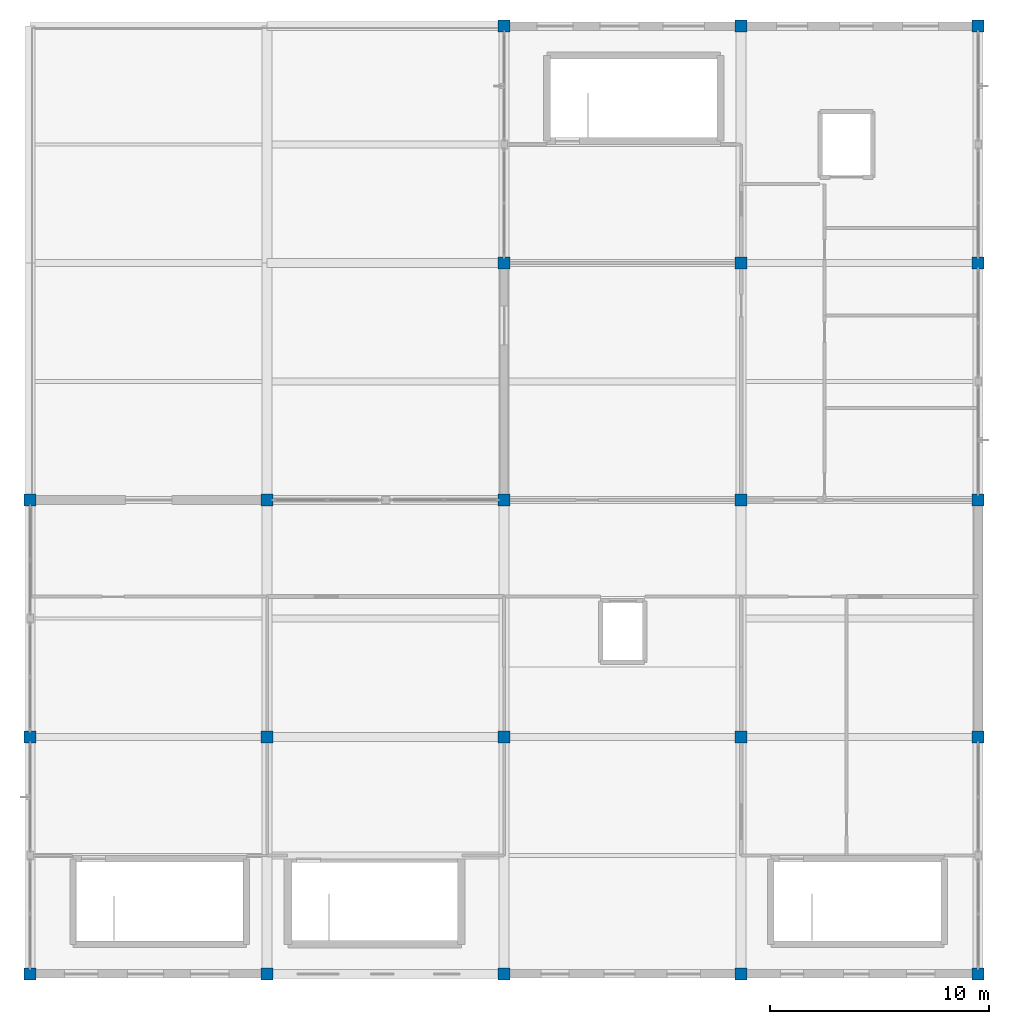
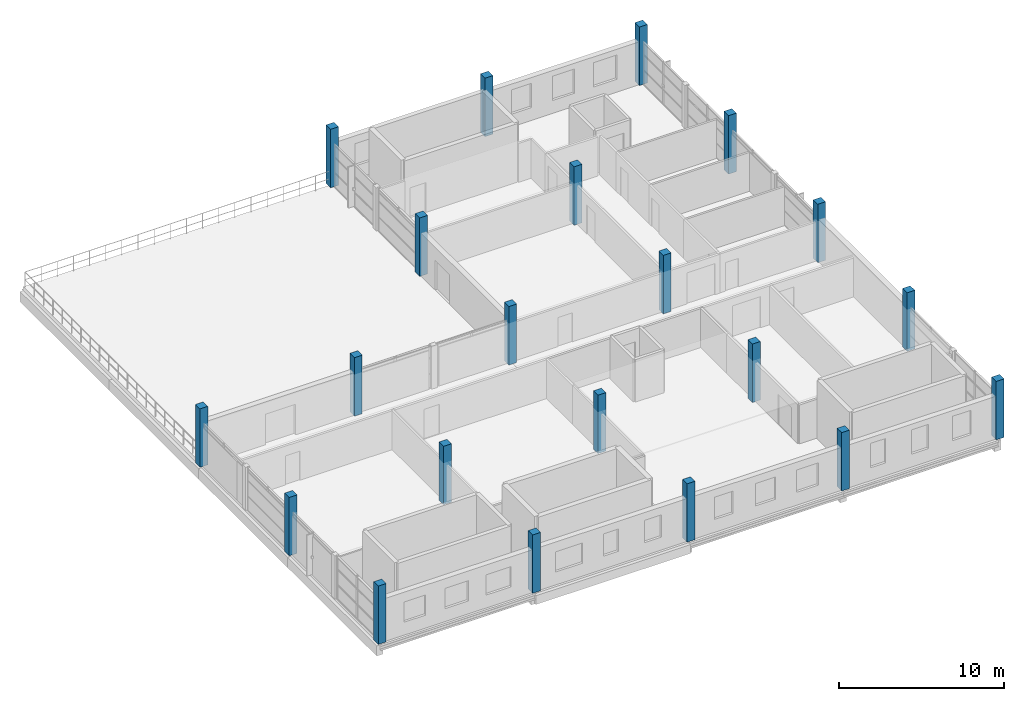
# One storey, part 1 of 15: 21 columns.
"""IFC4 building model written with IfcOpenShell, lengths in metres."""

import ifcopenshell
import ifcopenshell.guid

model = None  # the IFC model being written
_history = None  # IfcOwnerHistory: only IFC2X3 demands one
_inside = {}  # id of a spatial element -> (the spatial element, [elements in it])
_under = {}  # id of a project, library or spatial element -> (it, [spatial elements below it])
_declared = {}  # id of a project -> (the project, [libraries it declares])
_typed = {}  # id of a type object -> (the type object, [elements of that type])
_made_of = {}  # id of a material, layer set ... -> (it, [elements and type objects made of it])


def new_model(schema):
    """Start an empty IFC model of exactly this schema.

    Asked for "IFC4X3", IfcOpenShell would pick the latest addendum, in which some entities
    have other attributes; the version numbers below select the first issue.
    IFC2X3 requires an IfcOwnerHistory on every rooted entity: one is made here for all.
    """
    global model, _history
    if schema == "IFC4X3":
        model = ifcopenshell.file(schema_version=(4, 3, 0, 0))
    else:
        model = ifcopenshell.file(schema=schema)
    _inside.clear()
    _under.clear()
    _declared.clear()
    _typed.clear()
    _made_of.clear()
    _history = None
    if model.schema == "IFC2X3":
        org = make("IfcOrganization", Name="unknown")
        user = make(
            "IfcPersonAndOrganization",
            ThePerson=make("IfcPerson", FamilyName="unknown"),
            TheOrganization=org,
        )
        app = make(
            "IfcApplication",
            ApplicationDeveloper=org,
            Version="unknown",
            ApplicationFullName="unknown",
            ApplicationIdentifier="unknown",
        )
        _history = make(
            "IfcOwnerHistory",
            OwningUser=user,
            OwningApplication=app,
            ChangeAction="ADDED",
            CreationDate=0,
        )
    return model


def make(cls, **values):
    """One entity of the class cls with the attributes given. An attribute that is None is left unset."""
    return model.create_entity(
        cls, **{name: value for name, value in values.items() if value is not None}
    )


def rooted(cls, **values):
    """An entity with a GlobalId (a new one), such as an element, a storey or a relation."""
    return make(cls, GlobalId=ifcopenshell.guid.new(), OwnerHistory=_history, **values)


def si_unit(unit_type, name, prefix=None):
    """IfcSIUnit, for example si_unit("LENGTHUNIT", "METRE", prefix="MILLI")."""
    return make("IfcSIUnit", UnitType=unit_type, Prefix=prefix, Name=name)


def assignment(units):
    """IfcUnitAssignment: the units of a project."""
    return None if units is None else make("IfcUnitAssignment", Units=units)


def point(xyz):
    """IfcCartesianPoint."""
    return None if xyz is None else make("IfcCartesianPoint", Coordinates=xyz)


def direction(xyz):
    """IfcDirection."""
    return None if xyz is None else make("IfcDirection", DirectionRatios=xyz)


def frame(location, z_axis=None, x_axis=None):
    """IfcAxis2Placement3D, a coordinate frame: its origin and axes. An axis left out is left unset."""
    return make(
        "IfcAxis2Placement3D",
        Location=point(location),
        Axis=direction(z_axis),
        RefDirection=direction(x_axis),
    )


def frame_2d(location, x_axis=None):
    """IfcAxis2Placement2D, a coordinate frame in the plane: its origin and x axis."""
    return make(
        "IfcAxis2Placement2D", Location=point(location), RefDirection=direction(x_axis)
    )


def origin():
    """The frame at (0, 0, 0) with its axes left unset."""
    return frame((0.0, 0.0, 0.0))


def origin_2d():
    """The frame at (0, 0) in the plane with its x axis left unset."""
    return frame_2d((0.0, 0.0))


def place(relative_to, where):
    """IfcLocalPlacement: puts the frame where relative to a parent placement (None: the world)."""
    return make(
        "IfcLocalPlacement", PlacementRelTo=relative_to, RelativePlacement=where
    )


def context(
    kind, dimensions, precision=None, world=None, true_north=None, identifier=None
):
    """IfcGeometricRepresentationContext, for example the 3D "Model" context."""
    return make(
        "IfcGeometricRepresentationContext",
        ContextIdentifier=identifier,
        ContextType=kind,
        CoordinateSpaceDimension=dimensions,
        Precision=precision,
        WorldCoordinateSystem=world,
        TrueNorth=true_north,
    )


def subcontext(parent, identifier, kind, view, scale=None):
    """IfcGeometricRepresentationSubContext, for example "Body" below "Model"."""
    return make(
        "IfcGeometricRepresentationSubContext",
        ContextIdentifier=identifier,
        ContextType=kind,
        ParentContext=parent,
        TargetScale=scale,
        TargetView=view,
    )


def project(units=None, contexts=None):
    """IfcProject with its units and contexts."""
    return rooted(
        "IfcProject",
        Name="project",
        RepresentationContexts=contexts,
        UnitsInContext=assignment(units),
    )


def spatial(cls, under=None, at=None, **own):
    """A site, building, storey or space (cls), placed at a placement, below another one or the project."""
    s = rooted(cls, ObjectPlacement=at, **own)
    if under is not None:
        _under.setdefault(under.id(), (under, []))[1].append(s)
    return s


def profile(cls, at=None, kind="AREA", **sizes):
    """A parametric profile (cls). Its sizes go by their IFC names, for example OverallWidth=200.0."""
    return make(cls, ProfileType=kind, Position=at, **sizes)


def rectangle(**sizes):
    """IfcRectangleProfileDef."""
    return profile("IfcRectangleProfileDef", **sizes)


def extrude(swept, where, along, depth):
    """IfcExtrudedAreaSolid: the profile swept, set in the frame where, extruded along a direction by depth."""
    return make(
        "IfcExtrudedAreaSolid",
        SweptArea=swept,
        Position=where,
        ExtrudedDirection=direction(along),
        Depth=depth,
    )


def shape(context_of_items, identifier, shape_type, items):
    """IfcShapeRepresentation: the items that make up one representation, for example the "Body"."""
    return make(
        "IfcShapeRepresentation",
        ContextOfItems=context_of_items,
        RepresentationIdentifier=identifier,
        RepresentationType=shape_type,
        Items=items,
    )


def material(Name=None, Category=None):
    """IfcMaterial."""
    return make("IfcMaterial", Name=Name, Category=Category)


def material_profile(
    of_material, cross_section, Name=None, Category=None, Priority=None
):
    """IfcMaterialProfile: a cross section and its material."""
    return make(
        "IfcMaterialProfile",
        Name=Name,
        Material=of_material,
        Profile=cross_section,
        Priority=Priority,
        Category=Category,
    )


def profile_set(profiles, Name=None, composite=None):
    """IfcMaterialProfileSet."""
    return make(
        "IfcMaterialProfileSet",
        Name=Name,
        MaterialProfiles=profiles,
        CompositeProfile=composite,
    )


def made_of(thing, what):
    """Note that an element or type object is made of a material, layer set ...; save() writes the relation."""
    if what is not None:
        _made_of.setdefault(what.id(), (what, []))[1].append(thing)
    return thing


def type_object(cls, material=None, **own):
    """A type object (cls), such as IfcWallType, which elements share."""
    return made_of(rooted(cls, **own), material)


def element(
    cls,
    number,
    at=None,
    inside=None,
    cuts=None,
    type_object=None,
    material=None,
    context=None,
    identifier="Body",
    shape_type=None,
    held_by="IfcProductDefinitionShape",
    body=None,
    shapes=None,
    **own,
):
    """One element of the class cls, such as IfcWall. Its Tag is "e" and its number.

    at: its placement. inside: the storey or other place that contains it. cuts: it is an
    opening in that element (IfcRelVoidsElement). A single representation is given by context,
    identifier, shape_type and body (its items); several are given by shapes. held_by: the class
    of the entity that holds the representations. save() writes the other relations.
    """
    e = rooted(cls, Tag="e%d" % number, ObjectPlacement=at, **own)
    if body is not None:
        shapes = [shape(context, identifier, shape_type, body)]
    if shapes is not None:
        e.Representation = make(held_by, Representations=shapes)
    if inside is not None:
        _inside.setdefault(inside.id(), (inside, []))[1].append(e)
    if cuts is not None:
        rooted(
            "IfcRelVoidsElement", RelatingBuildingElement=cuts, RelatedOpeningElement=e
        )
    if type_object is not None:
        _typed.setdefault(type_object.id(), (type_object, []))[1].append(e)
    return made_of(e, material)


def aggregate(whole, parts):
    """IfcRelAggregates: a whole, such as a stair, and the parts it consists of."""
    return rooted("IfcRelAggregates", RelatingObject=whole, RelatedObjects=parts)


def save(model, path):
    """Write the relations noted so far, then the file.

    IfcRelAggregates (storeys below a building ...), IfcRelContainedInSpatialStructure (elements
    in a storey), IfcRelDefinesByType, IfcRelAssociatesMaterial and IfcRelDeclares: one each for
    every whole, place, type object, material and project.
    """
    for whole, parts in _under.values():
        aggregate(whole, parts)
    for where, things in _inside.values():
        rooted(
            "IfcRelContainedInSpatialStructure",
            RelatedElements=things,
            RelatingStructure=where,
        )
    for kind, things in _typed.values():
        rooted("IfcRelDefinesByType", RelatedObjects=things, RelatingType=kind)
    for what, things in _made_of.values():
        rooted("IfcRelAssociatesMaterial", RelatedObjects=things, RelatingMaterial=what)
    for by, libraries in _declared.values():
        rooted("IfcRelDeclares", RelatingContext=by, RelatedDefinitions=libraries)
    model.write(path)


model = new_model("IFC4")

# Units and contexts
model_context = context("Model", 3, precision=1e-05, world=origin(), true_north=direction((0.0, 1.0)))
body_context = subcontext(model_context, "Body", "Model", "MODEL_VIEW")
ifc_project = project(units=[si_unit("LENGTHUNIT", "METRE"), si_unit("AREAUNIT", "SQUARE_METRE"), si_unit("VOLUMEUNIT", "CUBIC_METRE"), si_unit("PLANEANGLEUNIT", "RADIAN"), si_unit("MASSUNIT", "GRAM", prefix="KILO")], contexts=[model_context])

# Site, building, storey
site_placement = place(None, origin())
site = spatial("IfcSite", under=ifc_project, at=site_placement, CompositionType="ELEMENT")
building_placement = place(site_placement, origin())
building = spatial("IfcBuilding", under=site, at=building_placement, Name="Zwinboog Wholesale Market", CompositionType="ELEMENT")
storey_placement = place(building_placement, frame((0.0, 0.0, 14.760009765625)))
storey = spatial("IfcBuildingStorey", under=building, at=storey_placement, Name="L03", CompositionType="ELEMENT", Elevation=14.760009765625)

# Columns
ifc_material = material(Name="Precast concrete C45/55", Category="concrete")
ifc_material_profile = material_profile(ifc_material, rectangle(XDim=0.550048828125, YDim=0.550048828125, at=origin_2d()), Name="PC 550x550")
ifc_profile_set = profile_set([ifc_material_profile], Name="Precast concrete C45/55")
column_type = type_object("IfcColumnType", Name="CT-05", PredefinedType="COLUMN", material=ifc_profile_set)
for number, where, z_axis, x_axis, name in (
    (1, (129.60009765625, 0.0, 0.0), (0.0, 0.0, 1.0), (1.0, 0.0, 0.0), "C-05 (COL-L03-0264)"),
    (2, (129.60009765625, 10.800048828125, 0.0), (0.0, 0.0, 1.0), (1.0, 0.0, 0.0), "C-05 (COL-L03-0268)"),
    (3, (129.60009765625, 21.60009765625, 0.0), (0.0, 0.0, 1.0), (1.0, 0.0, 0.0), "C-05 (COL-L03-0272)"),
    (4, (140.39990234375, 0.0, 0.0), (0.0, 0.0, 1.0), (1.0, 0.0, 0.0), "C-05 (COL-L03-0296)"),
    (5, (140.39990234375, 10.800048828125, 0.0), (0.0, 0.0, 1.0), (1.0, 0.0, 0.0), "C-05 (COL-L03-0300)"),
    (6, (140.39990234375, 21.60009765625, 0.0), (0.0, 0.0, 1.0), (1.0, 0.0, 0.0), "C-05 (COL-L03-0304)"),
    (7, (151.199951171875, 0.0, 0.0), (0.0, 0.0, 1.0), (1.0, 0.0, 0.0), "C-05 (COL-L03-0328)"),
    (8, (151.199951171875, 10.800048828125, 0.0), (0.0, 0.0, 1.0), (1.0, 0.0, 0.0), "C-05 (COL-L03-0332)"),
    (9, (151.199951171875, 21.60009765625, 0.0), (0.0, 0.0, 1.0), (1.0, 0.0, 0.0), "C-05 (COL-L03-0336)"),
    (10, (151.199951171875, 32.39990234375, 0.0), (0.0, 0.0, 1.0), (1.0, 0.0, 0.0), "C-05 (COL-L03-0340)"),
    (11, (151.199951171875, 43.199951171875, 0.0), (0.0, 0.0, 1.0), (1.0, 0.0, 0.0), "C-05 (COL-L03-0344)"),
    (12, (162.0, 0.0, 0.0), (0.0, 0.0, 1.0), (1.0, 0.0, 0.0), "C-05 (COL-L03-0364)"),
    (13, (162.0, 10.800048828125, 0.0), (0.0, 0.0, 1.0), (1.0, 0.0, 0.0), "C-05 (COL-L03-0368)"),
    (14, (162.0, 21.60009765625, 0.0), (0.0, 0.0, 1.0), (1.0, 0.0, 0.0), "C-05 (COL-L03-0372)"),
    (15, (162.0, 32.39990234375, 0.0), (0.0, 0.0, 1.0), (1.0, 0.0, 0.0), "C-05 (COL-L03-0376)"),
    (16, (162.0, 43.199951171875, 0.0), (0.0, 0.0, 1.0), (1.0, 0.0, 0.0), "C-05 (COL-L03-0380)"),
    (17, (172.800048828125, 0.0, 0.0), (0.0, 0.0, 1.0), (1.0, 0.0, 0.0), "C-05 (COL-L03-0400)"),
    (18, (172.800048828125, 10.800048828125, 0.0), (0.0, 0.0, 1.0), (1.0, 0.0, 0.0), "C-05 (COL-L03-0404)"),
    (19, (172.800048828125, 21.60009765625, 0.0), (0.0, 0.0, 1.0), (1.0, 0.0, 0.0), "C-05 (COL-L03-0408)"),
    (20, (172.800048828125, 32.39990234375, 0.0), (0.0, 0.0, 1.0), (1.0, 0.0, 0.0), "C-05 (COL-L03-0412)"),
    (21, (172.800048828125, 43.199951171875, 0.0), (0.0, 0.0, 1.0), (1.0, 0.0, 0.0), "C-05 (COL-L03-0416)"),
):
    element("IfcColumn", number, at=place(storey_placement, frame(where, z_axis=z_axis, x_axis=x_axis)), inside=storey, type_object=column_type, Name=name, PredefinedType="COLUMN", context=body_context, shape_type="SweptSolid", body=[
        extrude(rectangle(XDim=0.550048828125, YDim=0.550048828125, at=origin_2d()), origin(), (0.0, 0.0, 1.0), 4.320068359375),
    ])

save(model, "model.ifc")
